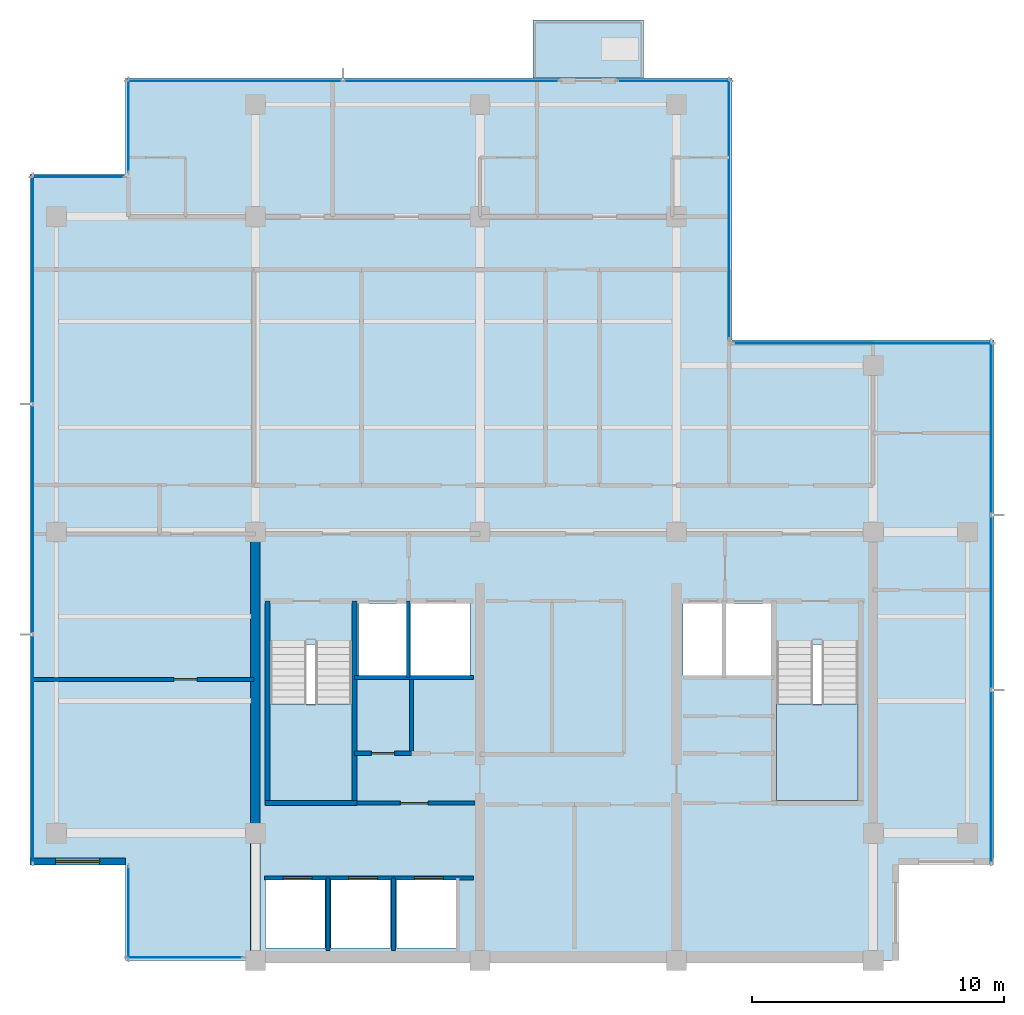
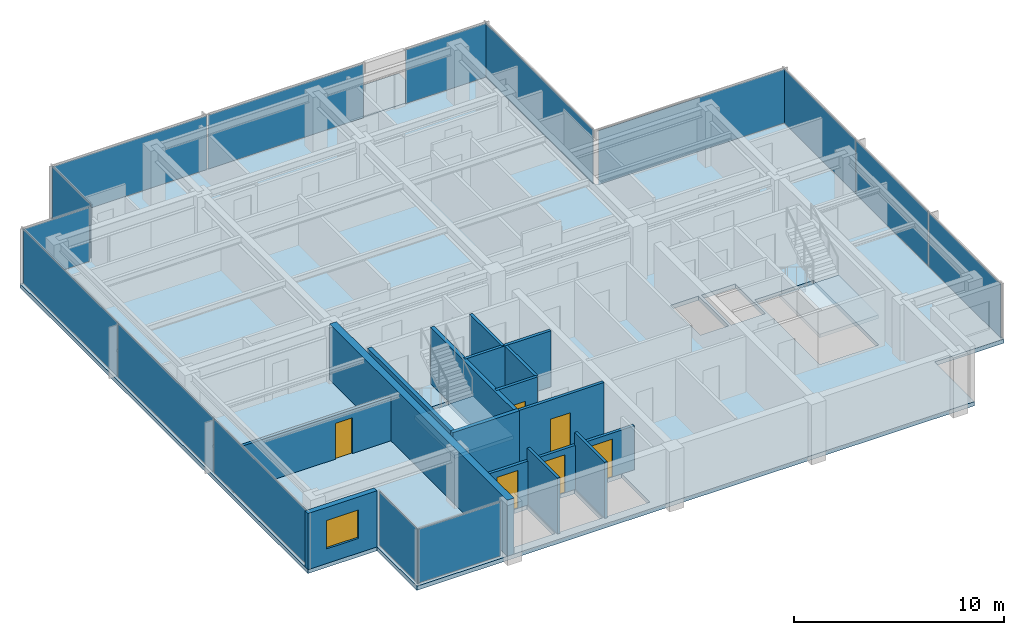
# One storey, part 5 of 11: 15 plates, 14 walls, 6 doors, 4 slabs, 1 window, 7 openings, 12 elements without a shape of their own.
"""IFC4 building model written with IfcOpenShell, lengths in metres."""

from ifc_helpers import new_model, si_unit, direction, frame, frame_2d, origin, origin_2d, place, context, subcontext, project, spatial, polyline, rectangle, outline, extrude, material, layer, layer_set, type_object, element, fill, aggregate, save


model = new_model("IFC4")

# Units and contexts
model_context = context("Model", 3, precision=1e-05, world=origin(), true_north=direction((0.0, 1.0)))
body_context = subcontext(model_context, "Body", "Model", "MODEL_VIEW")
ifc_project = project(units=[si_unit("LENGTHUNIT", "METRE"), si_unit("AREAUNIT", "SQUARE_METRE"), si_unit("VOLUMEUNIT", "CUBIC_METRE"), si_unit("PLANEANGLEUNIT", "RADIAN"), si_unit("MASSUNIT", "GRAM", prefix="KILO")], contexts=[model_context])

# Site, building, storey
site_placement = place(None, origin())
site = spatial("IfcSite", under=ifc_project, at=site_placement, CompositionType="ELEMENT")
building_placement = place(site_placement, origin())
building = spatial("IfcBuilding", under=site, at=building_placement, Name="Qalmaran Belvedere Hotel", CompositionType="ELEMENT")
storey_placement = place(building_placement, frame((0.0, 0.0, 242.39990234375)))
storey = spatial("IfcBuildingStorey", under=building, at=storey_placement, Name="L62", CompositionType="ELEMENT", Elevation=242.39990234375)

# Curtain wall, plate
ifc_material_1 = material(Name="Anodised Bronze Aluminium", Category="aluminium")
ifc_layer_1 = layer(ifc_material_1, 0.18505859375, Name="Anodised Bronze Aluminium")
ifc_layer_set_1 = layer_set([ifc_layer_1], Name="Anodised Bronze Aluminium")
curtain_wall_type = type_object("IfcCurtainWallType", Name="CW6-TOWER-SKY", PredefinedType="NOTDEFINED", material=ifc_layer_set_1)
curtain_wall_1_placement = place(storey_placement, origin())
curtain_wall_1 = element("IfcCurtainWall", 1, at=curtain_wall_1_placement, inside=storey, type_object=curtain_wall_type, Name="L62 Curtain Wall CW6", PredefinedType="NOTDEFINED")
ifc_material_2 = material(Name="Solar-Control Double Glazing", Category="glass")
ifc_layer_2 = layer(ifc_material_2, 0.028076171875, Name="Solar-Control Double Glazing")
ifc_layer_set_2 = layer_set([ifc_layer_2], Name="Solar-Control Double Glazing")
plate_type = type_object("IfcPlateType", Name="CWP-VISION-28", PredefinedType="CURTAIN_PANEL", material=ifc_layer_set_2)
plate_1_placement = place(storey_placement, frame((17.5048828125, 3.6201171875, 0.065185546875), z_axis=(0.0, 0.0, 1.0), x_axis=(1.0, 0.0, 0.0)))
plate_1 = element("IfcPlate", 2, at=plate_1_placement, type_object=plate_type, Name="CW6 panel 1.1", PredefinedType="CURTAIN_PANEL", context=body_context, shape_type="SweptSolid", body=[
    extrude(rectangle(XDim=4.580078125, YDim=0.028076171875, at=origin_2d()), origin(), (0.0, 0.0, 1.0), 3.1298828125),
])
aggregate(curtain_wall_1, [plate_1])

# Curtain wall, plates
curtain_wall_2_placement = place(storey_placement, origin())
curtain_wall_2 = element("IfcCurtainWall", 3, at=curtain_wall_2_placement, inside=storey, type_object=curtain_wall_type, Name="L62 Curtain Wall CW6", PredefinedType="NOTDEFINED")
plate_2_placement = place(storey_placement, frame((49.47998046875, 10.782958984375, 0.065185546875), z_axis=(0.0, 0.0, 1.0), x_axis=(0.0, 1.0, 0.0)))
plate_2 = element("IfcPlate", 4, at=plate_2_placement, type_object=plate_type, Name="CW6 panel 1.1", PredefinedType="CURTAIN_PANEL", context=body_context, shape_type="SweptSolid", body=[
    extrude(rectangle(XDim=6.8359375, YDim=0.028076171875, at=origin_2d()), origin(), (0.0, 0.0, 1.0), 3.1298828125),
])
plate_3_placement = place(storey_placement, frame((49.47998046875, 17.699951171875, 0.065185546875), z_axis=(0.0, 0.0, 1.0), x_axis=(0.0, 1.0, 0.0)))
plate_3 = element("IfcPlate", 5, at=plate_3_placement, type_object=plate_type, Name="CW6 panel 2.1", PredefinedType="CURTAIN_PANEL", context=body_context, shape_type="SweptSolid", body=[
    extrude(rectangle(XDim=6.868408203125, YDim=0.028076171875, at=origin_2d()), origin(), (0.0, 0.0, 1.0), 3.1298828125),
])
plate_4_placement = place(storey_placement, frame((49.47998046875, 24.6171875, 0.065185546875), z_axis=(0.0, 0.0, 1.0), x_axis=(0.0, 1.0, 0.0)))
plate_4 = element("IfcPlate", 6, at=plate_4_placement, type_object=plate_type, Name="CW6 panel 3.1", PredefinedType="CURTAIN_PANEL", context=body_context, shape_type="SweptSolid", body=[
    extrude(rectangle(XDim=6.8359375, YDim=0.028076171875, at=origin_2d()), origin(), (0.0, 0.0, 1.0), 3.1298828125),
])
aggregate(curtain_wall_2, [plate_2, plate_3, plate_4])

# Curtain wall, plate
curtain_wall_3_placement = place(storey_placement, origin())
curtain_wall_3 = element("IfcCurtainWall", 7, at=curtain_wall_3_placement, inside=storey, type_object=curtain_wall_type, Name="L62 Curtain Wall CW6", PredefinedType="NOTDEFINED")
plate_5_placement = place(storey_placement, frame((44.39990234375, 27.97998046875, 0.065185546875), z_axis=(0.0, 0.0, 1.0), x_axis=(-1.0, 0.0, 0.0)))
plate_5 = element("IfcPlate", 8, at=plate_5_placement, type_object=plate_type, Name="CW6 panel 1.1", PredefinedType="CURTAIN_PANEL", context=body_context, shape_type="SweptSolid", body=[
    extrude(rectangle(XDim=10.27001953125, YDim=0.028076171875, at=origin_2d()), origin(), (0.0, 0.0, 1.0), 3.1298828125),
])
aggregate(curtain_wall_3, [plate_5])

curtain_wall_4_placement = place(storey_placement, origin())
curtain_wall_4 = element("IfcCurtainWall", 9, at=curtain_wall_4_placement, inside=storey, type_object=curtain_wall_type, Name="L62 Curtain Wall CW6", PredefinedType="NOTDEFINED")
plate_6_placement = place(storey_placement, frame((39.080078125, 33.300048828125, 0.065185546875), z_axis=(0.0, 0.0, 1.0), x_axis=(0.0, 1.0, 0.0)))
plate_6 = element("IfcPlate", 10, at=plate_6_placement, type_object=plate_type, Name="CW6 panel 1.1", PredefinedType="CURTAIN_PANEL", context=body_context, shape_type="SweptSolid", body=[
    extrude(rectangle(XDim=10.27001953125, YDim=0.028076171875, at=origin_2d()), origin(), (0.0, 0.0, 1.0), 3.1298828125),
])
aggregate(curtain_wall_4, [plate_6])

# Curtain wall, plates
curtain_wall_5_placement = place(storey_placement, origin())
curtain_wall_5 = element("IfcCurtainWall", 11, at=curtain_wall_5_placement, inside=storey, type_object=curtain_wall_type, Name="L62 Curtain Wall CW6", PredefinedType="NOTDEFINED")
plate_7_placement = place(storey_placement, frame((28.0712890625, 38.3798828125, 0.065185546875), z_axis=(0.0, 0.0, 1.0), x_axis=(-1.0, 0.0, 0.0)))
plate_7 = element("IfcPlate", 12, at=plate_7_placement, type_object=plate_type, Name="CW6 panel 1.1", PredefinedType="CURTAIN_PANEL", context=body_context, shape_type="SweptSolid", body=[
    extrude(rectangle(XDim=8.527587890625, YDim=0.028076171875, at=origin_2d()), origin(), (0.0, 0.0, 1.0), 3.1298828125),
])
plate_8_placement = place(storey_placement, frame((19.478759765625, 38.3798828125, 0.065185546875), z_axis=(0.0, 0.0, 1.0), x_axis=(-1.0, 0.0, 0.0)))
plate_8 = element("IfcPlate", 13, at=plate_8_placement, type_object=plate_type, Name="CW6 panel 2.1", PredefinedType="CURTAIN_PANEL", context=body_context, shape_type="SweptSolid", body=[
    extrude(rectangle(XDim=8.527587890625, YDim=0.028076171875, at=origin_2d()), origin(), (0.0, 0.0, 1.0), 3.1298828125),
])
aggregate(curtain_wall_5, [plate_7, plate_8])

# Curtain wall, plate
curtain_wall_6_placement = place(storey_placement, origin())
curtain_wall_6 = element("IfcCurtainWall", 14, at=curtain_wall_6_placement, inside=storey, type_object=curtain_wall_type, Name="L62 Curtain Wall CW6", PredefinedType="NOTDEFINED")
plate_9_placement = place(storey_placement, frame((36.89990234375, 38.3798828125, 0.065185546875), z_axis=(0.0, 0.0, 1.0), x_axis=(-1.0, 0.0, 0.0)))
plate_9 = element("IfcPlate", 15, at=plate_9_placement, type_object=plate_type, Name="CW6 panel 1.1", PredefinedType="CURTAIN_PANEL", context=body_context, shape_type="SweptSolid", body=[
    extrude(rectangle(XDim=4.469970703125, YDim=0.028076171875, at=origin_2d()), origin(), (0.0, 0.0, 1.0), 3.1298828125),
])
aggregate(curtain_wall_6, [plate_9])

curtain_wall_7_placement = place(storey_placement, origin())
curtain_wall_7 = element("IfcCurtainWall", 16, at=curtain_wall_7_placement, inside=storey, type_object=curtain_wall_type, Name="L62 Curtain Wall CW6", PredefinedType="NOTDEFINED")
plate_10_placement = place(storey_placement, frame((15.27001953125, 36.60009765625, 0.065185546875), z_axis=(0.0, 0.0, 1.0), x_axis=(0.0, -1.0, 0.0)))
plate_10 = element("IfcPlate", 17, at=plate_10_placement, type_object=plate_type, Name="CW6 panel 1.1", PredefinedType="CURTAIN_PANEL", context=body_context, shape_type="SweptSolid", body=[
    extrude(rectangle(XDim=3.669921875, YDim=0.028076171875, at=origin_2d()), origin(), (0.0, 0.0, 1.0), 3.1298828125),
])
aggregate(curtain_wall_7, [plate_10])

curtain_wall_8_placement = place(storey_placement, origin())
curtain_wall_8 = element("IfcCurtainWall", 18, at=curtain_wall_8_placement, inside=storey, type_object=curtain_wall_type, Name="L62 Curtain Wall CW6", PredefinedType="NOTDEFINED")
plate_11_placement = place(storey_placement, frame((13.25, 34.580078125, 0.065185546875), z_axis=(0.0, 0.0, 1.0), x_axis=(-1.0, 0.0, 0.0)))
plate_11 = element("IfcPlate", 19, at=plate_11_placement, type_object=plate_type, Name="CW6 panel 1.1", PredefinedType="CURTAIN_PANEL", context=body_context, shape_type="SweptSolid", body=[
    extrude(rectangle(XDim=3.669921875, YDim=0.028076171875, at=origin_2d()), origin(), (0.0, 0.0, 1.0), 3.1298828125),
])
aggregate(curtain_wall_8, [plate_11])

# Curtain wall, plates
curtain_wall_9_placement = place(storey_placement, origin())
curtain_wall_9 = element("IfcCurtainWall", 20, at=curtain_wall_9_placement, inside=storey, type_object=curtain_wall_type, Name="L62 Curtain Wall CW6", PredefinedType="NOTDEFINED")
plate_12_placement = place(storey_placement, frame((11.469970703125, 30.1171875, 0.065185546875), z_axis=(0.0, 0.0, 1.0), x_axis=(0.0, -1.0, 0.0)))
plate_12 = element("IfcPlate", 21, at=plate_12_placement, type_object=plate_type, Name="CW6 panel 1.1", PredefinedType="CURTAIN_PANEL", context=body_context, shape_type="SweptSolid", body=[
    extrude(rectangle(XDim=9.035888671875, YDim=0.028076171875, at=origin_2d()), origin(), (0.0, 0.0, 1.0), 3.1298828125),
])
plate_13_placement = place(storey_placement, frame((11.469970703125, 21.0, 0.065185546875), z_axis=(0.0, 0.0, 1.0), x_axis=(0.0, -1.0, 0.0)))
plate_13 = element("IfcPlate", 22, at=plate_13_placement, type_object=plate_type, Name="CW6 panel 2.1", PredefinedType="CURTAIN_PANEL", context=body_context, shape_type="SweptSolid", body=[
    extrude(rectangle(XDim=9.068359375, YDim=0.028076171875, at=origin_2d()), origin(), (0.0, 0.0, 1.0), 3.1298828125),
])
plate_14_placement = place(storey_placement, frame((11.469970703125, 11.8828125, 0.065185546875), z_axis=(0.0, 0.0, 1.0), x_axis=(0.0, -1.0, 0.0)))
plate_14 = element("IfcPlate", 23, at=plate_14_placement, type_object=plate_type, Name="CW6 panel 3.1", PredefinedType="CURTAIN_PANEL", context=body_context, shape_type="SweptSolid", body=[
    extrude(rectangle(XDim=9.035888671875, YDim=0.028076171875, at=origin_2d()), origin(), (0.0, 0.0, 1.0), 3.1298828125),
])
aggregate(curtain_wall_9, [plate_12, plate_13, plate_14])

# Curtain wall, plate
curtain_wall_10_placement = place(storey_placement, origin())
curtain_wall_10 = element("IfcCurtainWall", 24, at=curtain_wall_10_placement, inside=storey, type_object=curtain_wall_type, Name="L62 Curtain Wall CW6", PredefinedType="NOTDEFINED")
plate_15_placement = place(storey_placement, frame((15.27001953125, 5.39990234375, 0.065185546875), z_axis=(0.0, 0.0, 1.0), x_axis=(0.0, -1.0, 0.0)))
plate_15 = element("IfcPlate", 25, at=plate_15_placement, type_object=plate_type, Name="CW6 panel 1.1", PredefinedType="CURTAIN_PANEL", context=body_context, shape_type="SweptSolid", body=[
    extrude(rectangle(XDim=3.669921875, YDim=0.028076171875, at=origin_2d()), origin(), (0.0, 0.0, 1.0), 3.1298828125),
])
aggregate(curtain_wall_10, [plate_15])

# Slab
ifc_material_3 = material(Name="Concrete C40/50", Category="concrete")
ifc_layer_3 = layer(ifc_material_3, 0.219970703125, Name="Concrete C40/50")
ifc_layer_set_3 = layer_set([ifc_layer_3], Name="Concrete C40/50")
slab_type_1 = type_object("IfcSlabType", Name="SLB-BAL-220", PredefinedType="USERDEFINED", material=ifc_layer_set_3)
slab_1_placement = place(storey_placement, frame((0.0, 0.0, -0.219970703125)))
element("IfcSlab", 26, at=slab_1_placement, inside=storey, type_object=slab_type_1, Name="L62 Planted Tree Balcony Slab 1", ObjectType="BALCONY", PredefinedType="USERDEFINED", context=body_context, shape_type="SweptSolid", body=[
    extrude(outline(polyline([(31.300048828125, 38.5), (35.699951171875, 38.5), (35.699951171875, 40.800048828125), (31.300048828125, 40.800048828125), (31.300048828125, 38.5)])), origin(), (0.0, 0.0, 1.0), 0.219970703125),
])

# Stair, slab
stair_type_1 = type_object("IfcStairType", Name="STR-ST-1-1450-R1750", PredefinedType="HALF_TURN_STAIR", material=ifc_material_3)
stair_1_placement = place(storey_placement, origin())
stair_1 = element("IfcStair", 27, at=stair_1_placement, inside=storey, type_object=stair_type_1, Name="L62 West Core Exit Stair ST-1", PredefinedType="HALF_TURN_STAIR")
ifc_layer_4 = layer(ifc_material_3, 0.199951171875, Name="Concrete C40/50")
ifc_layer_set_4 = layer_set([ifc_layer_4], Name="Concrete C40/50")
slab_type_2 = type_object("IfcSlabType", Name="SLB-STAIR-LANDING-200", PredefinedType="LANDING", material=ifc_layer_set_4)
slab_2_placement = place(storey_placement, frame((0.0, 0.0, 1.550048828125)))
slab_2 = element("IfcSlab", 28, at=slab_2_placement, type_object=slab_type_2, Name="ST-1 landing 1", PredefinedType="LANDING", context=body_context, shape_type="SweptSolid", body=[
    extrude(outline(polyline([(20.8798828125, 13.669921875), (20.8798828125, 9.85009765625), (24.1201171875, 9.85009765625), (24.1201171875, 13.669921875), (20.8798828125, 13.669921875)])), origin(), (0.0, 0.0, 1.0), 0.199951171875),
])
aggregate(stair_1, [slab_2])

stair_type_2 = type_object("IfcStairType", Name="STR-ST-2-1450-R1750", PredefinedType="HALF_TURN_STAIR", material=ifc_material_3)
stair_2_placement = place(storey_placement, origin())
stair_2 = element("IfcStair", 29, at=stair_2_placement, inside=storey, type_object=stair_type_2, Name="L62 East Core Exit Stair ST-2", PredefinedType="HALF_TURN_STAIR")
slab_3_placement = place(storey_placement, frame((0.0, 0.0, 1.550048828125)))
slab_3 = element("IfcSlab", 30, at=slab_3_placement, type_object=slab_type_2, Name="ST-2 landing 1", PredefinedType="LANDING", context=body_context, shape_type="SweptSolid", body=[
    extrude(outline(polyline([(40.9599609375, 13.669921875), (40.9599609375, 9.85009765625), (44.199951171875, 9.85009765625), (44.199951171875, 13.669921875), (40.9599609375, 13.669921875)])), origin(), (0.0, 0.0, 1.0), 0.199951171875),
])
aggregate(stair_2, [slab_3])

# Slab
ifc_layer_5 = layer(ifc_material_3, 0.239990234375, Name="Concrete C40/50")
ifc_layer_set_5 = layer_set([ifc_layer_5], Name="Concrete C40/50")
slab_type_3 = type_object("IfcSlabType", Name="SLB-Z4-240", PredefinedType="FLOOR", material=ifc_layer_set_5)
slab_4_placement = place(storey_placement, frame((0.0, 0.0, -0.239990234375)))
element("IfcSlab", 31, at=slab_4_placement, inside=storey, type_object=slab_type_3, Name="L62 Structural Floor Slab", PredefinedType="FLOOR", context=body_context, shape_type="SweptSolid", body=[
    extrude(outline(polyline([(15.14990234375, 3.5), (45.800048828125, 3.5), (45.800048828125, 7.300048828125), (49.60009765625, 7.300048828125), (49.60009765625, 28.10009765625), (39.199951171875, 28.10009765625), (39.199951171875, 38.5), (15.14990234375, 38.5), (15.14990234375, 34.699951171875), (11.35009765625, 34.699951171875), (11.35009765625, 7.300048828125), (15.14990234375, 7.300048828125), (15.14990234375, 3.5)]), holes=[polyline([(20.8798828125, 9.85009765625), (24.1201171875, 9.85009765625), (24.1201171875, 16.0400390625), (20.8798828125, 16.0400390625), (20.8798828125, 9.85009765625)]), polyline([(40.9599609375, 9.85009765625), (44.199951171875, 9.85009765625), (44.199951171875, 16.0400390625), (40.9599609375, 16.0400390625), (40.9599609375, 9.85009765625)]), polyline([(20.699951171875, 4.0), (23.050048828125, 4.0), (23.050048828125, 6.699951171875), (20.699951171875, 6.699951171875), (20.699951171875, 4.0)]), polyline([(23.300048828125, 4.0), (25.64990234375, 4.0), (25.64990234375, 6.699951171875), (23.300048828125, 6.699951171875), (23.300048828125, 4.0)]), polyline([(25.89990234375, 4.0), (28.25, 4.0), (28.25, 6.699951171875), (25.89990234375, 6.699951171875), (25.89990234375, 4.0)]), polyline([(24.39990234375, 14.800048828125), (26.300048828125, 14.800048828125), (26.300048828125, 17.64990234375), (24.39990234375, 17.64990234375), (24.39990234375, 14.800048828125)]), polyline([(38.949951171875, 14.800048828125), (40.820068359375, 14.800048828125), (40.820068359375, 17.64990234375), (38.949951171875, 17.64990234375), (38.949951171875, 14.800048828125)]), polyline([(26.449951171875, 14.800048828125), (28.800048828125, 14.800048828125), (28.800048828125, 17.64990234375), (26.449951171875, 17.64990234375), (26.449951171875, 14.800048828125)]), polyline([(37.25, 14.800048828125), (38.800048828125, 14.800048828125), (38.800048828125, 17.64990234375), (37.25, 17.64990234375), (37.25, 14.800048828125)])]), origin(), (0.0, 0.0, 1.0), 0.239990234375),
])

# Wall
ifc_material_4 = material(Name="Concrete C50/60", Category="concrete")
ifc_layer_6 = layer(ifc_material_4, 0.3798828125, Name="Concrete C50/60")
ifc_layer_set_6 = layer_set([ifc_layer_6], Name="Concrete C50/60")
wall_type_1 = type_object("IfcWallType", Name="WL-CORE-380-C50", PredefinedType="SHEAR", material=ifc_layer_set_6)
wall_1_placement = place(storey_placement, frame((20.300048828125, 3.5, 0.0), z_axis=(0.0, 0.0, 1.0), x_axis=(0.0, 1.0, 0.0)))
element("IfcWall", 32, at=wall_1_placement, inside=storey, type_object=wall_type_1, Name="L62 West Core Shear Wall", PredefinedType="SHEAR", context=body_context, shape_type="SweptSolid", body=[
    extrude(rectangle(XDim=16.89990234375, YDim=0.3798828125, at=frame_2d((8.449951171875, 0.0))), origin(), (0.0, 0.0, 1.0), 3.260009765625),
])

# Wall, opening, window
ifc_material_5 = material(Name="Anodised Bronze Cladding")
ifc_layer_7 = layer(ifc_material_5, 0.280029296875, Name="Anodised Bronze Cladding")
ifc_layer_set_7 = layer_set([ifc_layer_7], Name="Anodised Bronze Cladding")
wall_type_2 = type_object("IfcWallType", Name="WL-EXT-BRNZ-280", PredefinedType="SOLIDWALL", material=ifc_layer_set_7)
wall_2_placement = place(storey_placement, frame((11.35009765625, 7.419921875, 0.0), z_axis=(0.0, 0.0, 1.0), x_axis=(1.0, 0.0, 0.0)))
wall_2 = element("IfcWall", 33, at=wall_2_placement, inside=storey, type_object=wall_type_2, Name="L62 Corner Notch Wall 10", PredefinedType="SOLIDWALL", context=body_context, shape_type="SweptSolid", body=[
    extrude(rectangle(XDim=3.7998046875, YDim=0.280029296875, at=frame_2d((1.89990234375, 0.0))), origin(), (0.0, 0.0, 1.0), 3.260009765625),
])
opening_1_placement = place(wall_2_placement, frame((1.02490234375, 0.0, 0.85009765625)))
opening_1 = element("IfcOpeningElement", 34, at=opening_1_placement, cuts=wall_2, Name="Opening W-N17", PredefinedType="OPENING", context=body_context, shape_type="SweptSolid", body=[
    extrude(rectangle(XDim=1.75, YDim=1.64990234375, at=frame_2d((0.875, 0.824951171875))), frame((0.0, 0.14990234375, 0.0), z_axis=(0.0, -1.0, 0.0), x_axis=(1.0, 0.0, 0.0)), (0.0, 0.0, 1.0), 0.300048828125),
])
window_type = type_object("IfcWindowType", Name="WN-NTC-1750X1650", PartitioningType="SINGLE_PANEL", PredefinedType="WINDOW", material=ifc_material_2)
window_placement = place(opening_1_placement, origin())
window = element("IfcWindow", 35, at=window_placement, inside=storey, type_object=window_type, Name="L62 Corner Notch Window 10", OverallHeight=1.64990234375, OverallWidth=1.75, PartitioningType="SINGLE_PANEL", PredefinedType="WINDOW", context=body_context, shape_type="SweptSolid", body=[
    extrude(rectangle(XDim=1.75, YDim=1.64990234375, at=frame_2d((0.875, 0.824951171875))), frame((0.0, 0.030029296875, 0.0), z_axis=(0.0, -1.0, 0.0), x_axis=(1.0, 0.0, 0.0)), (0.0, 0.0, 1.0), 0.06005859375),
])
fill(opening_1, window)

# Walls
ifc_material_6 = material(Name="Gypsum Stud Partition")
ifc_layer_8 = layer(ifc_material_6, 0.14990234375, Name="Gypsum Stud Partition")
ifc_layer_set_8 = layer_set([ifc_layer_8], Name="Gypsum Stud Partition")
wall_type_3 = type_object("IfcWallType", Name="WL-INT-150-EI120", PredefinedType="PARTITIONING", material=ifc_layer_set_8)
wall_3_placement = place(storey_placement, frame((26.360107421875, 14.719970703125, 0.0), z_axis=(0.0, 0.0, 1.0), x_axis=(0.0, 1.0, 0.0)))
element("IfcWall", 36, at=wall_3_placement, inside=storey, type_object=wall_type_3, Name="L62 Partition WL-FF1M-L62", PredefinedType="PARTITIONING", context=body_context, shape_type="SweptSolid", body=[
    extrude(rectangle(XDim=3.0400390625, YDim=0.14990234375, at=frame_2d((1.52001953125, 0.0))), origin(), (0.0, 0.0, 1.0), 3.260009765625),
])
for number, where, z_axis, x_axis, name in (
    (37, (23.179931640625, 3.89990234375, 0.0), (0.0, 0.0, 1.0), (0.0, 1.0, 0.0), "L62 Partition WL-POM1-L62"),
    (38, (25.780029296875, 3.89990234375, 0.0), (0.0, 0.0, 1.0), (0.0, 1.0, 0.0), "L62 Partition WL-POM2-L62"),
):
    element("IfcWall", number, at=place(storey_placement, frame(where, z_axis=z_axis, x_axis=x_axis)), inside=storey, type_object=wall_type_3, Name=name, PredefinedType="PARTITIONING", context=body_context, shape_type="SweptSolid", body=[
        extrude(rectangle(XDim=2.880126953125, YDim=0.14990234375, at=frame_2d((1.43994140625, 0.0))), origin(), (0.0, 0.0, 1.0), 3.260009765625),
    ])
ifc_layer_9 = layer(ifc_material_6, 0.14990234375, Name="Gypsum Stud Partition")
ifc_layer_set_9 = layer_set([ifc_layer_9], Name="Gypsum Stud Partition")
wall_type_4 = type_object("IfcWallType", Name="WL-INT-150-EI60", PredefinedType="PARTITIONING", material=ifc_layer_set_9)
wall_4_placement = place(storey_placement, frame((26.490478515625, 11.719970703125, 0.0), z_axis=(0.0, 0.0, 1.0), x_axis=(0.0, 1.0, 0.0)))
element("IfcWall", 39, at=wall_4_placement, inside=storey, type_object=wall_type_4, Name="L62 Partition WL-L62-KWV1", PredefinedType="PARTITIONING", context=body_context, shape_type="SweptSolid", body=[
    extrude(rectangle(XDim=2.929931640625, YDim=0.14990234375, at=frame_2d((1.46484375, 0.0))), origin(), (0.0, 0.0, 1.0), 3.260009765625),
])
ifc_layer_10 = layer(ifc_material_6, 0.159912109375, Name="Gypsum Stud Partition")
ifc_layer_set_10 = layer_set([ifc_layer_10], Name="Gypsum Stud Partition")
wall_type_5 = type_object("IfcWallType", Name="WL-INT-160-EI120", PredefinedType="PARTITIONING", material=ifc_layer_set_10)
wall_5_placement = place(storey_placement, frame((24.219970703125, 14.719970703125, 0.0), z_axis=(0.0, 0.0, 1.0), x_axis=(1.0, 0.0, 0.0)))
element("IfcWall", 40, at=wall_5_placement, inside=storey, type_object=wall_type_5, Name="L62 Partition WL-FF1S-L62", PredefinedType="PARTITIONING", context=body_context, shape_type="SweptSolid", body=[
    extrude(rectangle(XDim=4.72998046875, YDim=0.159912109375, at=frame_2d((2.364990234375, 0.0))), origin(), (0.0, 0.0, 1.0), 3.260009765625),
])

# Wall, openings, doors
wall_6_placement = place(storey_placement, frame((20.64990234375, 6.780029296875, 0.0), z_axis=(0.0, 0.0, 1.0), x_axis=(1.0, 0.0, 0.0)))
wall_6 = element("IfcWall", 41, at=wall_6_placement, inside=storey, type_object=wall_type_5, Name="L62 Partition WL-POS-L62", PredefinedType="PARTITIONING", context=body_context, shape_type="SweptSolid", body=[
    extrude(rectangle(XDim=8.300048828125, YDim=0.159912109375, at=frame_2d((4.14990234375, 0.0))), origin(), (0.0, 0.0, 1.0), 2.550048828125),
])
opening_2_placement = place(wall_6_placement, frame((0.75, 0.0, 0.0)))
opening_2 = element("IfcOpeningElement", 42, at=opening_2_placement, cuts=wall_6, Name="Opening LD-PO", PredefinedType="OPENING", context=body_context, shape_type="SweptSolid", body=[
    extrude(rectangle(XDim=1.14990234375, YDim=2.199951171875, at=frame_2d((0.574951171875, 1.10009765625))), frame((0.0, 0.08984375, 0.0), z_axis=(0.0, -1.0, 0.0), x_axis=(1.0, 0.0, 0.0)), (0.0, 0.0, 1.0), 0.179931640625),
])
opening_3_placement = place(wall_6_placement, frame((3.35009765625, 0.0, 0.0)))
opening_3 = element("IfcOpeningElement", 43, at=opening_3_placement, cuts=wall_6, Name="Opening LD-PO", PredefinedType="OPENING", context=body_context, shape_type="SweptSolid", body=[
    extrude(rectangle(XDim=1.14990234375, YDim=2.199951171875, at=frame_2d((0.574951171875, 1.10009765625))), frame((0.0, 0.08984375, 0.0), z_axis=(0.0, -1.0, 0.0), x_axis=(1.0, 0.0, 0.0)), (0.0, 0.0, 1.0), 0.179931640625),
])
opening_4_placement = place(wall_6_placement, frame((5.949951171875, 0.0, 0.0)))
opening_4 = element("IfcOpeningElement", 44, at=opening_4_placement, cuts=wall_6, Name="Opening LD-PO", PredefinedType="OPENING", context=body_context, shape_type="SweptSolid", body=[
    extrude(rectangle(XDim=1.14990234375, YDim=2.199951171875, at=frame_2d((0.574951171875, 1.10009765625))), frame((0.0, 0.08984375, 0.0), z_axis=(0.0, -1.0, 0.0), x_axis=(1.0, 0.0, 0.0)), (0.0, 0.0, 1.0), 0.179931640625),
])
door_type_1 = type_object("IfcDoorType", Name="DR-LIFT-PO-1150X2200", OperationType="DOUBLE_DOOR_SLIDING", PredefinedType="DOOR", material=ifc_material_1)
door_1_placement = place(opening_2_placement, origin())
door_1 = element("IfcDoor", 45, at=door_1_placement, inside=storey, type_object=door_type_1, Name="L62 PO1 Shuttle Landing Door", OperationType="DOUBLE_DOOR_SLIDING", OverallHeight=2.199951171875, OverallWidth=1.14990234375, PredefinedType="DOOR", context=body_context, shape_type="SweptSolid", body=[
    extrude(rectangle(XDim=1.14990234375, YDim=2.199951171875, at=frame_2d((0.574951171875, 1.10009765625))), frame((0.0, 0.02490234375, 0.0), z_axis=(0.0, -1.0, 0.0), x_axis=(1.0, 0.0, 0.0)), (0.0, 0.0, 1.0), 0.050048828125),
])
fill(opening_2, door_1)
door_2_placement = place(opening_3_placement, origin())
door_2 = element("IfcDoor", 46, at=door_2_placement, inside=storey, type_object=door_type_1, Name="L62 PO2 Shuttle Landing Door", OperationType="DOUBLE_DOOR_SLIDING", OverallHeight=2.199951171875, OverallWidth=1.14990234375, PredefinedType="DOOR", context=body_context, shape_type="SweptSolid", body=[
    extrude(rectangle(XDim=1.14990234375, YDim=2.199951171875, at=frame_2d((0.574951171875, 1.10009765625))), frame((0.0, 0.02490234375, 0.0), z_axis=(0.0, -1.0, 0.0), x_axis=(1.0, 0.0, 0.0)), (0.0, 0.0, 1.0), 0.050048828125),
])
fill(opening_3, door_2)
door_3_placement = place(opening_4_placement, origin())
door_3 = element("IfcDoor", 47, at=door_3_placement, inside=storey, type_object=door_type_1, Name="L62 PO3 Shuttle Landing Door", OperationType="DOUBLE_DOOR_SLIDING", OverallHeight=2.199951171875, OverallWidth=1.14990234375, PredefinedType="DOOR", context=body_context, shape_type="SweptSolid", body=[
    extrude(rectangle(XDim=1.14990234375, YDim=2.199951171875, at=frame_2d((0.574951171875, 1.10009765625))), frame((0.0, 0.02490234375, 0.0), z_axis=(0.0, -1.0, 0.0), x_axis=(1.0, 0.0, 0.0)), (0.0, 0.0, 1.0), 0.050048828125),
])
fill(opening_4, door_3)

# Wall, opening, door
wall_7_placement = place(storey_placement, frame((24.199951171875, 9.739990234375, 0.0), z_axis=(0.0, 0.0, 1.0), x_axis=(1.0, 0.0, 0.0)))
wall_7 = element("IfcWall", 48, at=wall_7_placement, inside=storey, type_object=wall_type_5, Name="L62 Partition WL-PON-L62", PredefinedType="PARTITIONING", context=body_context, shape_type="SweptSolid", body=[
    extrude(rectangle(XDim=4.800048828125, YDim=0.159912109375, at=frame_2d((2.39990234375, 0.0))), origin(), (0.0, 0.0, 1.0), 3.260009765625),
])
opening_5_placement = place(wall_7_placement, frame((1.85009765625, 0.0, 0.0)))
opening_5 = element("IfcOpeningElement", 49, at=opening_5_placement, cuts=wall_7, Name="Opening FD90", PredefinedType="OPENING", context=body_context, shape_type="SweptSolid", body=[
    extrude(rectangle(XDim=1.10009765625, YDim=2.14990234375, at=frame_2d((0.550048828125, 1.074951171875))), frame((0.0, 0.08984375, 0.0), z_axis=(0.0, -1.0, 0.0), x_axis=(1.0, 0.0, 0.0)), (0.0, 0.0, 1.0), 0.179931640625),
])
ifc_material_7 = material(Name="Steel S355JR", Category="steel")
door_type_2 = type_object("IfcDoorType", Name="DR-FD90-1100X2150", OperationType="NOTDEFINED", PredefinedType="DOOR", material=ifc_material_7)
door_4_placement = place(opening_5_placement, origin())
door_4 = element("IfcDoor", 50, at=door_4_placement, inside=storey, type_object=door_type_2, Name="L62 Shuttle Lobby Passage Door", OperationType="SINGLE_SWING_RIGHT", OverallHeight=2.14990234375, OverallWidth=1.10009765625, PredefinedType="DOOR", context=body_context, shape_type="SweptSolid", body=[
    extrude(rectangle(XDim=1.10009765625, YDim=2.14990234375, at=frame_2d((0.550048828125, 1.074951171875))), frame((0.0, 0.02490234375, 0.0), z_axis=(0.0, -1.0, 0.0), x_axis=(1.0, 0.0, 0.0)), (0.0, 0.0, 1.0), 0.050048828125),
])
fill(opening_5, door_4)

ifc_layer_11 = layer(ifc_material_6, 0.159912109375, Name="Gypsum Stud Partition")
ifc_layer_set_11 = layer_set([ifc_layer_11], Name="Gypsum Stud Partition")
wall_type_6 = type_object("IfcWallType", Name="WL-INT-160-EI60", PredefinedType="PARTITIONING", material=ifc_layer_set_11)
wall_8_placement = place(storey_placement, frame((24.219970703125, 11.719970703125, 0.0), z_axis=(0.0, 0.0, 1.0), x_axis=(1.0, 0.0, 0.0)))
wall_8 = element("IfcWall", 51, at=wall_8_placement, inside=storey, type_object=wall_type_6, Name="L62 Partition WL-L62-KWE1", PredefinedType="PARTITIONING", context=body_context, shape_type="SweptSolid", body=[
    extrude(rectangle(XDim=2.2705078125, YDim=0.159912109375, at=frame_2d((1.13525390625, 0.0))), origin(), (0.0, 0.0, 1.0), 3.260009765625),
])
opening_6_placement = place(wall_8_placement, frame((0.67529296875, 0.0, 0.0)))
opening_6 = element("IfcOpeningElement", 52, at=opening_6_placement, cuts=wall_8, Name="Opening FD60S1", PredefinedType="OPENING", context=body_context, shape_type="SweptSolid", body=[
    extrude(rectangle(XDim=0.919921875, YDim=2.080078125, at=frame_2d((0.4599609375, 1.0400390625))), frame((0.0, 0.08984375, 0.0), z_axis=(0.0, -1.0, 0.0), x_axis=(1.0, 0.0, 0.0)), (0.0, 0.0, 1.0), 0.179931640625),
])
ifc_material_8 = material(Name="Engineered Oak Veneer")
door_type_3 = type_object("IfcDoorType", Name="DR-FD60S-920X2080", OperationType="NOTDEFINED", PredefinedType="DOOR", material=ifc_material_8)
door_5_placement = place(opening_6_placement, origin())
door_5 = element("IfcDoor", 53, at=door_5_placement, inside=storey, type_object=door_type_3, Name="L62 Telecom and IT Room Door", OperationType="SINGLE_SWING_RIGHT", OverallHeight=2.080078125, OverallWidth=0.919921875, PredefinedType="DOOR", context=body_context, shape_type="SweptSolid", body=[
    extrude(rectangle(XDim=0.919921875, YDim=2.080078125, at=frame_2d((0.4599609375, 1.0400390625))), frame((0.0, 0.02490234375, 0.0), z_axis=(0.0, -1.0, 0.0), x_axis=(1.0, 0.0, 0.0)), (0.0, 0.0, 1.0), 0.050048828125),
])
fill(opening_6, door_5)

wall_9_placement = place(storey_placement, frame((11.469970703125, 14.64990234375, 0.0), z_axis=(0.0, 0.0, 1.0), x_axis=(1.0, 0.0, 0.0)))
wall_9 = element("IfcWall", 54, at=wall_9_placement, inside=storey, type_object=wall_type_6, Name="L62 Partition WL-L62-C4WH1", PredefinedType="PARTITIONING", context=body_context, shape_type="SweptSolid", body=[
    extrude(rectangle(XDim=8.780029296875, YDim=0.159912109375, at=frame_2d((4.39013671875, 0.0))), origin(), (0.0, 0.0, 1.0), 2.550048828125),
])
opening_7_placement = place(wall_9_placement, frame((6.52001953125, 0.0, 0.0), z_axis=(0.0, 0.0, 1.0), x_axis=(-1.0, 0.0, 0.0)))
opening_7 = element("IfcOpeningElement", 55, at=opening_7_placement, cuts=wall_9, Name="Opening FD60S1", PredefinedType="OPENING", context=body_context, shape_type="SweptSolid", body=[
    extrude(rectangle(XDim=0.919921875, YDim=2.080078125, at=frame_2d((0.4599609375, 1.0400390625))), frame((0.0, 0.08984375, 0.0), z_axis=(0.0, -1.0, 0.0), x_axis=(1.0, 0.0, 0.0)), (0.0, 0.0, 1.0), 0.179931640625),
])
door_6_placement = place(opening_7_placement, origin())
door_6 = element("IfcDoor", 56, at=door_6_placement, inside=storey, type_object=door_type_3, Name="L62 SW Panorama Inner Door", OperationType="SINGLE_SWING_RIGHT", OverallHeight=2.080078125, OverallWidth=0.919921875, PredefinedType="DOOR", context=body_context, shape_type="SweptSolid", body=[
    extrude(rectangle(XDim=0.919921875, YDim=2.080078125, at=frame_2d((0.4599609375, 1.0400390625))), frame((0.0, 0.02490234375, 0.0), z_axis=(0.0, -1.0, 0.0), x_axis=(1.0, 0.0, 0.0)), (0.0, 0.0, 1.0), 0.050048828125),
])
fill(opening_7, door_6)

# Walls
ifc_layer_12 = layer(ifc_material_4, 0.2099609375, Name="Concrete C50/60")
ifc_layer_set_12 = layer_set([ifc_layer_12], Name="Concrete C50/60")
wall_type_7 = type_object("IfcWallType", Name="WL-STAIR-210-C50", PredefinedType="SHEAR", material=ifc_layer_set_12)
for number, where, z_axis, x_axis, name in (
    (57, (20.77490234375, 9.7451171875, 0.0), (0.0, 0.0, 1.0), (0.0, 1.0, 0.0), "L62 Stair ST-1 West Bearing Wall"),
    (58, (24.22509765625, 9.7451171875, 0.0), (0.0, 0.0, 1.0), (0.0, 1.0, 0.0), "L62 Stair ST-1 East Bearing Wall"),
):
    element("IfcWall", number, at=place(storey_placement, frame(where, z_axis=z_axis, x_axis=x_axis)), inside=storey, type_object=wall_type_7, Name=name, PredefinedType="SHEAR", context=body_context, shape_type="SweptSolid", body=[
        extrude(rectangle(XDim=8.009765625, YDim=0.2099609375, at=frame_2d((4.0048828125, 0.0))), origin(), (0.0, 0.0, 1.0), 3.260009765625),
    ])
wall_10_placement = place(storey_placement, frame((20.669921875, 9.7451171875, 0.0), z_axis=(0.0, 0.0, 1.0), x_axis=(1.0, 0.0, 0.0)))
element("IfcWall", 59, at=wall_10_placement, inside=storey, type_object=wall_type_7, Name="L62 Stair ST-1 South Bearing Wall", PredefinedType="SHEAR", context=body_context, shape_type="SweptSolid", body=[
    extrude(rectangle(XDim=3.66015625, YDim=0.2099609375, at=frame_2d((1.830078125, 0.0))), origin(), (0.0, 0.0, 1.0), 3.260009765625),
])

save(model, "model.ifc")
